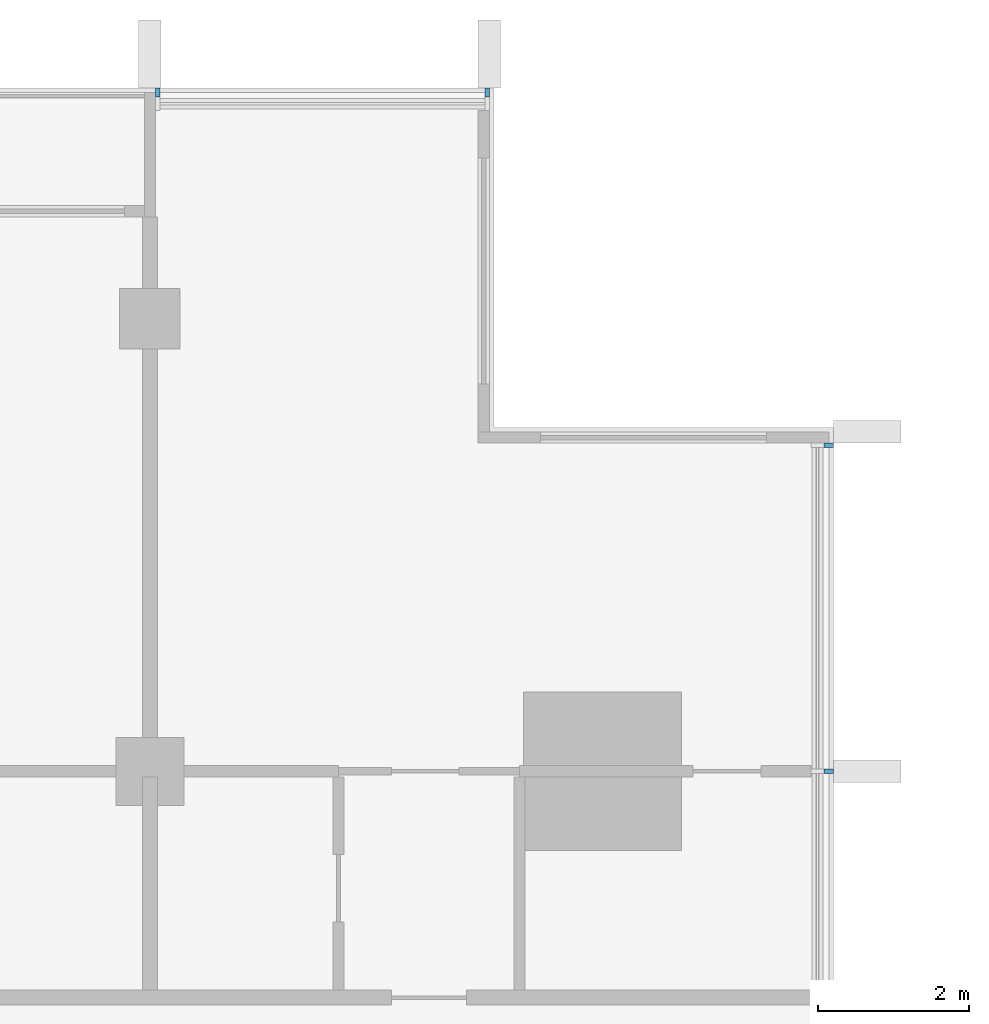
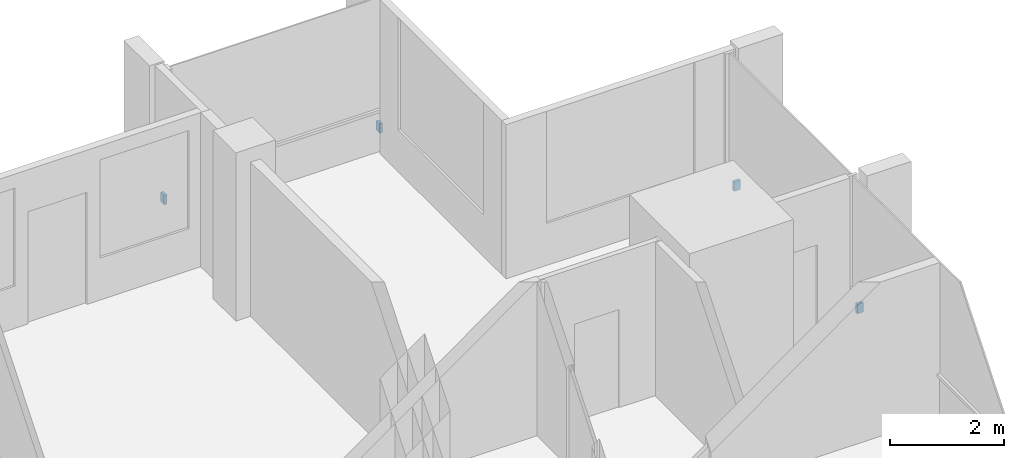
# One storey, part 15 of 16: 4 discrete accessories.
"""IFC4 building model written with IfcOpenShell, lengths in metres."""

from ifc_helpers import new_model, si_unit, direction, frame, origin, origin_2d, place, context, subcontext, project, spatial, rectangle, extrude, material, type_object, element, save


model = new_model("IFC4")

# Units and contexts
model_context = context("Model", 3, precision=1e-05, world=origin(), true_north=direction((0.0, 1.0)))
body_context = subcontext(model_context, "Body", "Model", "MODEL_VIEW")
ifc_project = project(units=[si_unit("LENGTHUNIT", "METRE"), si_unit("AREAUNIT", "SQUARE_METRE"), si_unit("VOLUMEUNIT", "CUBIC_METRE"), si_unit("PLANEANGLEUNIT", "RADIAN"), si_unit("MASSUNIT", "GRAM", prefix="KILO")], contexts=[model_context])

# Site, building, storey
site_placement = place(None, origin())
site = spatial("IfcSite", under=ifc_project, at=site_placement, CompositionType="ELEMENT")
building_placement = place(site_placement, origin())
building = spatial("IfcBuilding", under=site, at=building_placement, Name="Finial Court Residences", CompositionType="ELEMENT")
storey_placement = place(building_placement, frame((0.0, 0.0, 233.89990234375)))
storey = spatial("IfcBuildingStorey", under=building, at=storey_placement, Name="L59", CompositionType="ELEMENT", Elevation=233.89990234375)

# Discrete accessories
ifc_material = material(Name="Stainless steel 316", Category="steel")
discrete_accessory_type = type_object("IfcDiscreteAccessoryType", Name="Fin bracket, stainless steel 60 x 122 x 200", PredefinedType="BRACKET", material=ifc_material)
for number, where, z_axis, x_axis, name in (
    (1, (10.60498046875, 16.498779296875, 0.30029296875), (0.0, 0.0, 1.0), (1.0, 0.0, 0.0), "E-L59-FIN-N5-BRK"),
    (2, (14.969970703125, 16.498779296875, 0.30029296875), (0.0, 0.0, 1.0), (1.0, 0.0, 0.0), "E-L59-FIN-N6-BRK"),
):
    element("IfcDiscreteAccessory", number, at=place(storey_placement, frame(where, z_axis=z_axis, x_axis=x_axis)), inside=storey, type_object=discrete_accessory_type, Name=name, PredefinedType="BRACKET", context=body_context, shape_type="SweptSolid", body=[
        extrude(rectangle(XDim=0.06005859375, YDim=0.12255859375, at=origin_2d()), origin(), (0.0, 0.0, 1.0), 0.199951171875),
    ])
for number, where, z_axis, x_axis, name in (
    (3, (19.498779296875, 7.5, 0.30029296875), (0.0, 0.0, 1.0), (1.0, 0.0, 0.0), "E-L59-FIN-E11-BRK"),
    (4, (19.498779296875, 11.820068359375, 0.30029296875), (0.0, 0.0, 1.0), (1.0, 0.0, 0.0), "E-L59-FIN-E12-BRK"),
):
    element("IfcDiscreteAccessory", number, at=place(storey_placement, frame(where, z_axis=z_axis, x_axis=x_axis)), inside=storey, type_object=discrete_accessory_type, Name=name, PredefinedType="BRACKET", context=body_context, shape_type="SweptSolid", body=[
        extrude(rectangle(XDim=0.12255859375, YDim=0.06005859375, at=origin_2d()), origin(), (0.0, 0.0, 1.0), 0.199951171875),
    ])

save(model, "model.ifc")
